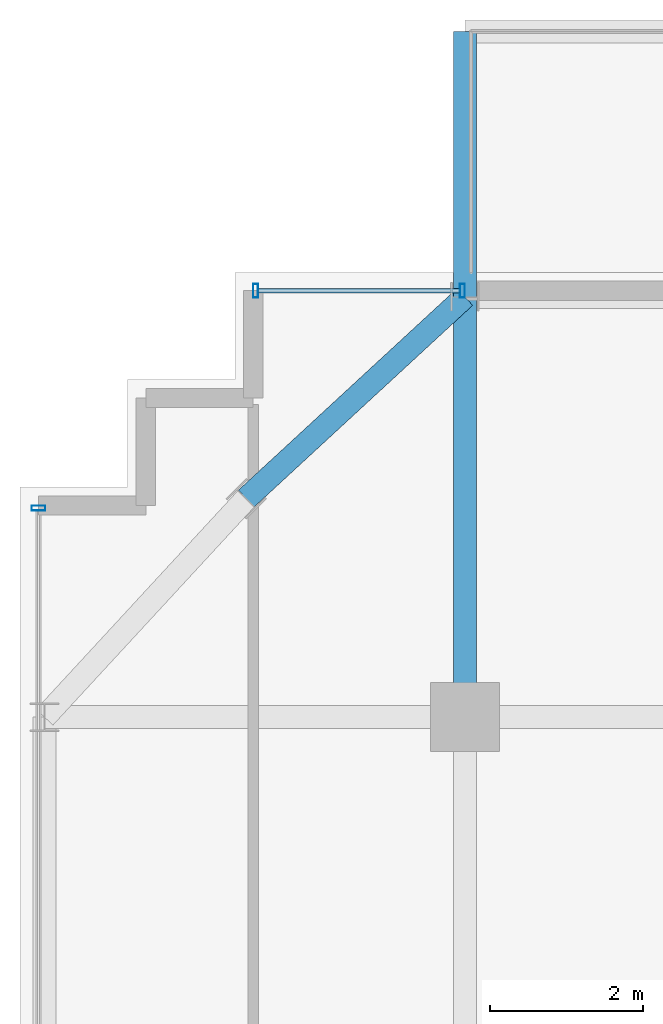
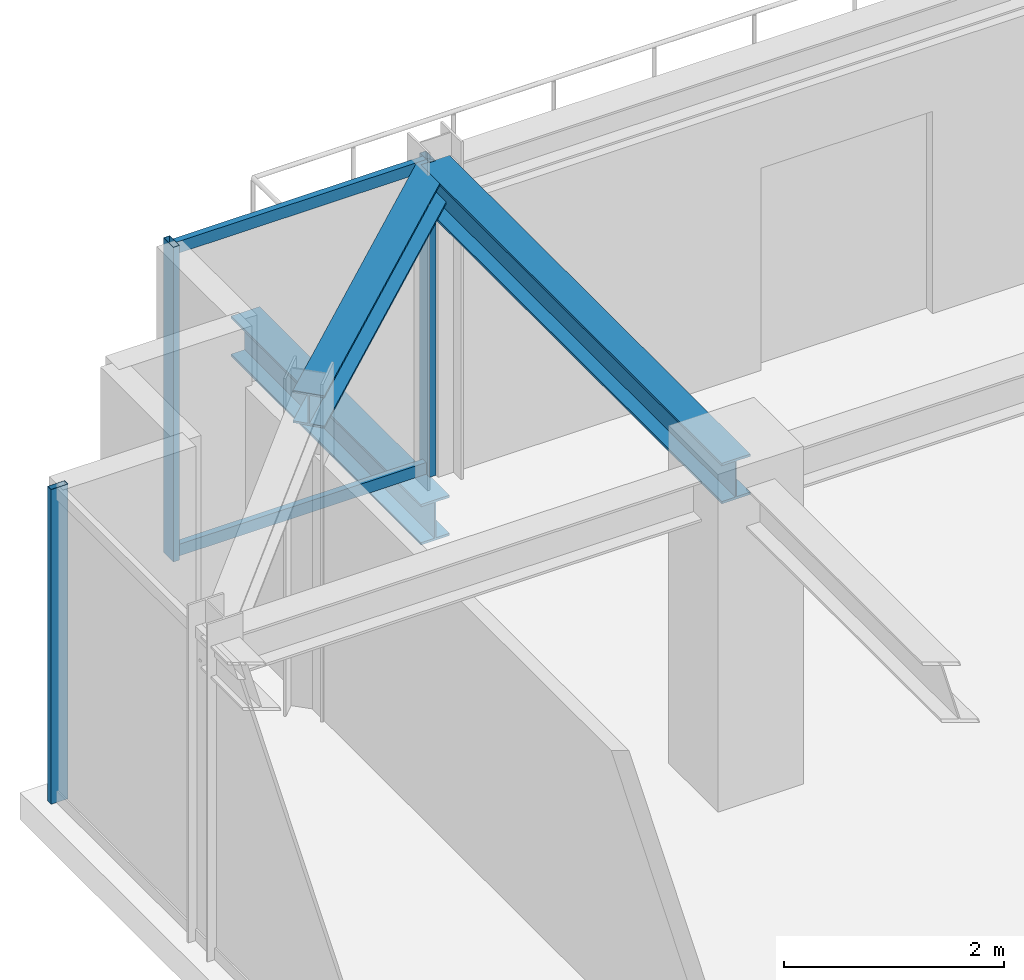
# One storey, part 17 of 31: 5 members, 3 beams, 2 elements without a shape of their own.
"""IFC4 building model written with IfcOpenShell, lengths in metres."""

from ifc_helpers import new_model, si_unit, direction, frame, origin, origin_2d, place, context, subcontext, project, spatial, hollow_rectangle, i_section, extrude, source, transform, mapped, material, material_profile, profile_set, type_object, element, aggregate, save


model = new_model("IFC4")

# Units and contexts
model_context = context("Model", 3, precision=1e-05, world=origin(), true_north=direction((0.0, 1.0)))
body_context = subcontext(model_context, "Body", "Model", "MODEL_VIEW")
ifc_project = project(units=[si_unit("LENGTHUNIT", "METRE"), si_unit("AREAUNIT", "SQUARE_METRE"), si_unit("VOLUMEUNIT", "CUBIC_METRE"), si_unit("PLANEANGLEUNIT", "RADIAN"), si_unit("MASSUNIT", "GRAM", prefix="KILO")], contexts=[model_context])

# Site, building, storey
site_placement = place(None, origin())
site = spatial("IfcSite", under=ifc_project, at=site_placement, CompositionType="ELEMENT")
building_placement = place(site_placement, origin())
building = spatial("IfcBuilding", under=site, at=building_placement, Name="Nahalor Promenade Grand Hotel", CompositionType="ELEMENT")
storey_placement = place(building_placement, frame((0.0, 0.0, 327.14990234375)))
storey = spatial("IfcBuildingStorey", under=building, at=storey_placement, Name="L84", CompositionType="ELEMENT", Elevation=327.14990234375)

# Beams
ifc_material_1 = material(Name="Steel S355JR", Category="steel")
ifc_material_profile_1 = material_profile(ifc_material_1, i_section(OverallWidth=0.3, OverallDepth=0.45, WebThickness=0.014, FlangeThickness=0.026, at=origin_2d()), Name="HEB 450")
ifc_profile_set_1 = profile_set([ifc_material_profile_1], Name="Steel S355JR")
beam_type_1 = type_object("IfcBeamType", Name="Beam-Outrigger-HEB450", PredefinedType="BEAM", material=ifc_profile_set_1)
shared_shape_1 = source(origin(), body_context, "Body", "SweptSolid", [
    extrude(i_section(OverallWidth=0.3, OverallDepth=0.45, WebThickness=0.014, FlangeThickness=0.026, at=origin_2d()), origin(), (0.0, 0.0, 1.0), 3.4599609375),
])
beam_1_placement = place(storey_placement, frame((-17.0, 22.47998046875, -0.5048828125), z_axis=(0.0, 1.0, 0.0), x_axis=(-1.0, 0.0, 0.0)))
element("IfcBeam", 1, at=beam_1_placement, inside=storey, type_object=beam_type_1, Name="BM-L84-BC-01-1", PredefinedType="BEAM", context=body_context, shape_type="MappedRepresentation", body=[
    mapped(shared_shape_1, transform((0.0, 0.0, 0.0), scale=1.0)),
])
ifc_material_profile_2 = material_profile(ifc_material_1, i_section(OverallWidth=0.3, OverallDepth=0.45, WebThickness=0.014, FlangeThickness=0.026, at=origin_2d()), Name="HEB 450")
ifc_profile_set_2 = profile_set([ifc_material_profile_2], Name="Steel S355JR")
beam_type_2 = type_object("IfcBeamType", Name="Beam-Girder-HEB450", PredefinedType="BEAM", material=ifc_profile_set_2)
shared_shape_2 = source(origin(), body_context, "Body", "SweptSolid", [
    extrude(i_section(OverallWidth=0.3, OverallDepth=0.45, WebThickness=0.014, FlangeThickness=0.026, at=origin_2d()), origin(), (0.0, 0.0, 1.0), 5.47998046875),
])
beam_2_placement = place(storey_placement, frame((-17.0, 17.0, 3.275146484375), z_axis=(0.0, 1.0, 0.0), x_axis=(-1.0, 0.0, 0.0)))
element("IfcBeam", 2, at=beam_2_placement, inside=storey, type_object=beam_type_2, Name="BM-L84-GY-0-4", PredefinedType="BEAM", context=body_context, shape_type="MappedRepresentation", body=[
    mapped(shared_shape_2, transform((0.0, 0.0, 0.0), scale=1.0)),
])
ifc_material_profile_3 = material_profile(ifc_material_1, i_section(OverallWidth=0.3, OverallDepth=0.36, WebThickness=0.0125, FlangeThickness=0.0225, at=origin_2d()), Name="HEB 360")
ifc_profile_set_3 = profile_set([ifc_material_profile_3], Name="Steel S355JR")
beam_type_3 = type_object("IfcBeamType", Name="Beam-Spandrel-HEB360", PredefinedType="SPANDREL", material=ifc_profile_set_3)
shared_shape_3 = source(origin(), body_context, "Body", "SweptSolid", [
    extrude(i_section(OverallWidth=0.3, OverallDepth=0.36, WebThickness=0.0125, FlangeThickness=0.0225, at=origin_2d()), origin(), (0.0, 0.0, 1.0), 3.878173828125),
])
beam_3_placement = place(storey_placement, frame((-17.0, 22.47998046875, 3.320068359375), z_axis=(-0.73492893846, -0.678144125843, 0.0), x_axis=(0.678144125843, -0.73492893846, 0.0)))
element("IfcBeam", 3, at=beam_3_placement, inside=storey, type_object=beam_type_3, Name="BM-L84-SPC-NW-1", PredefinedType="SPANDREL", context=body_context, shape_type="MappedRepresentation", body=[
    mapped(shared_shape_3, transform((0.0, 0.0, 0.0), scale=1.0)),
])

# Curtain wall, members
ifc_material_2 = material(Name="Anodised Bronze Aluminium EN AW-6063 T6", Category="aluminium")
curtain_wall_type = type_object("IfcCurtainWallType", Name="CW2 Typical Hotel Flush Bronze Unitised Curtain Wall", PredefinedType="USERDEFINED", material=ifc_material_2)
curtain_wall_1_placement = place(storey_placement, origin())
curtain_wall_1 = element("IfcCurtainWall", 4, at=curtain_wall_1_placement, inside=storey, type_object=curtain_wall_type, Name="L84 Curtain Wall CW-L84-N-1", ObjectType="UNITISED_CURTAIN_WALL", PredefinedType="USERDEFINED")
ifc_material_profile_4 = material_profile(ifc_material_2, hollow_rectangle(XDim=0.065, YDim=0.13, WallThickness=0.004, at=origin_2d()), Name="CWT 65x130x4")
ifc_profile_set_4 = profile_set([ifc_material_profile_4], Name="Anodised Bronze Aluminium EN AW-6063 T6")
member_type_1 = type_object("IfcMemberType", Name="CWT2 Typical Bronze Transom 65x130", PredefinedType="USERDEFINED", material=ifc_profile_set_4)
shared_shape_4 = source(origin(), body_context, "Body", "SweptSolid", [
    extrude(hollow_rectangle(XDim=0.065, YDim=0.13, WallThickness=0.004, at=origin_2d()), origin(), (0.0, 0.0, 1.0), 2.630126953125),
])
member_1_placement = place(storey_placement, frame((-19.695068359375, 22.56005859375, 0.065185546875), z_axis=(1.0, 0.0, 0.0), x_axis=(0.0, 1.0, 0.0)))
member_1 = element("IfcMember", 5, at=member_1_placement, type_object=member_type_1, Name="CW-L84-N-1 Transom 0-0", ObjectType="TRANSOM", PredefinedType="USERDEFINED", context=body_context, shape_type="MappedRepresentation", body=[
    mapped(shared_shape_4, transform((0.0, 0.0, 0.0), scale=1.0)),
])
member_2_placement = place(storey_placement, frame((-19.695068359375, 22.56005859375, 3.43505859375), z_axis=(1.0, 0.0, 0.0), x_axis=(0.0, 1.0, 0.0)))
member_2 = element("IfcMember", 6, at=member_2_placement, type_object=member_type_1, Name="CW-L84-N-1 Transom 0-1", ObjectType="TRANSOM", PredefinedType="USERDEFINED", context=body_context, shape_type="MappedRepresentation", body=[
    mapped(shared_shape_4, transform((0.0, 0.0, 0.0), scale=1.0)),
])
ifc_material_profile_5 = material_profile(ifc_material_2, hollow_rectangle(XDim=0.065, YDim=0.18, WallThickness=0.004, at=origin_2d()), Name="CWM 65x180x4")
ifc_profile_set_5 = profile_set([ifc_material_profile_5], Name="Anodised Bronze Aluminium EN AW-6063 T6")
member_type_2 = type_object("IfcMemberType", Name="CWM2 Typical Bronze Mullion 65x180", PredefinedType="MULLION", material=ifc_profile_set_5)
shared_shape_5 = source(origin(), body_context, "Body", "SweptSolid", [
    extrude(hollow_rectangle(XDim=0.065, YDim=0.18, WallThickness=0.004, at=origin_2d()), origin(), (0.0, 0.0, 1.0), 3.5),
])
member_3_placement = place(storey_placement, frame((-19.7275390625, 22.56005859375, 0.0), z_axis=(0.0, 0.0, 1.0), x_axis=(1.0, 0.0, 0.0)))
member_3 = element("IfcMember", 7, at=member_3_placement, type_object=member_type_2, Name="CW-L84-N-1 Mullion 0", PredefinedType="MULLION", context=body_context, shape_type="MappedRepresentation", body=[
    mapped(shared_shape_5, transform((0.0, 0.0, 0.0), scale=1.0)),
])
member_4_placement = place(storey_placement, frame((-17.032470703125, 22.56005859375, 0.0), z_axis=(0.0, 0.0, 1.0), x_axis=(1.0, 0.0, 0.0)))
member_4 = element("IfcMember", 8, at=member_4_placement, type_object=member_type_2, Name="CW-L84-N-1 Mullion 1", PredefinedType="MULLION", context=body_context, shape_type="MappedRepresentation", body=[
    mapped(shared_shape_5, transform((0.0, 0.0, 0.0), scale=1.0)),
])
aggregate(curtain_wall_1, [member_3, member_4, member_1, member_2])

# Curtain wall, member
curtain_wall_2_placement = place(storey_placement, origin())
curtain_wall_2 = element("IfcCurtainWall", 9, at=curtain_wall_2_placement, inside=storey, type_object=curtain_wall_type, Name="L84 Curtain Wall CW-L84-W-1", ObjectType="UNITISED_CURTAIN_WALL", PredefinedType="USERDEFINED")
member_5_placement = place(storey_placement, frame((-22.56005859375, 19.7275390625, 0.0), z_axis=(0.0, 0.0, 1.0), x_axis=(0.0, 1.0, 0.0)))
member_5 = element("IfcMember", 10, at=member_5_placement, type_object=member_type_2, Name="CW-L84-W-1 Mullion 3", PredefinedType="MULLION", context=body_context, shape_type="MappedRepresentation", body=[
    mapped(shared_shape_5, transform((0.0, 0.0, 0.0), scale=1.0)),
])
aggregate(curtain_wall_2, [member_5])

save(model, "model.ifc")
